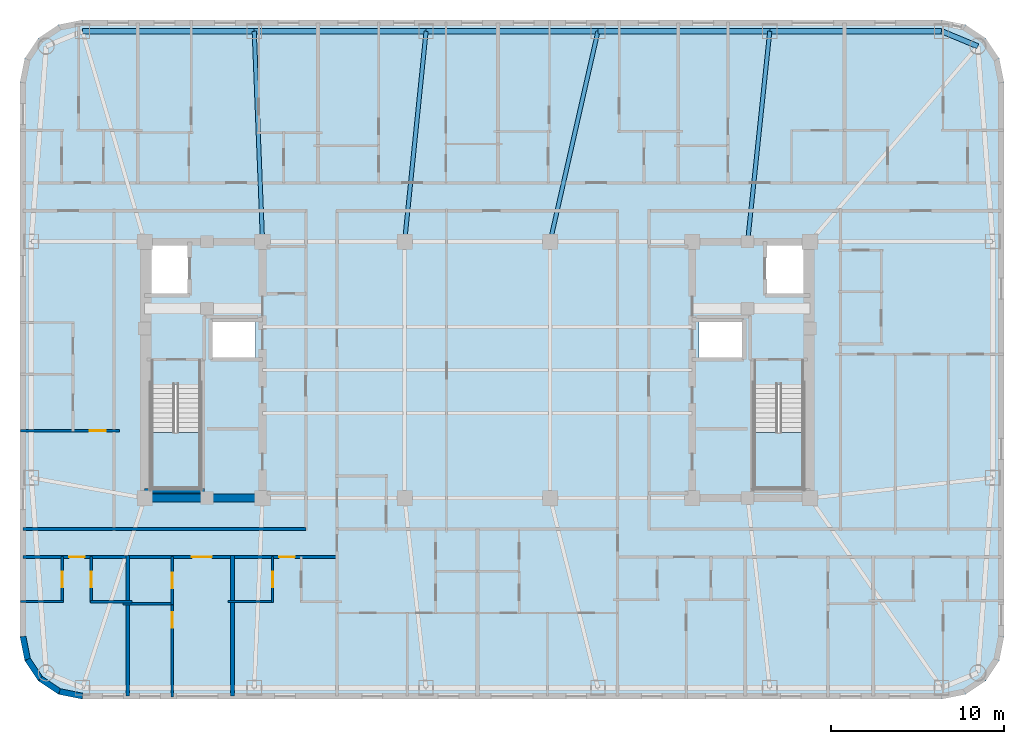
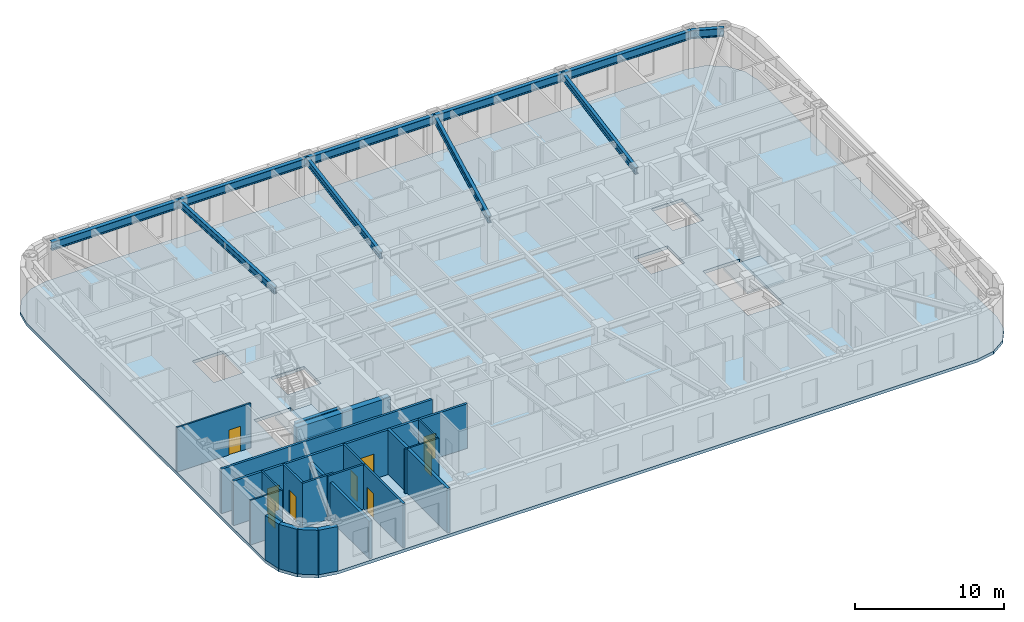
# One storey, part 2 of 11: 20 walls, 10 beams, 9 doors, 3 slabs, 9 openings, 2 elements without a shape of their own.
"""IFC4 building model written with IfcOpenShell, lengths in metres."""

from ifc_helpers import new_model, si_unit, direction, frame, frame_2d, origin, origin_2d, place, context, subcontext, project, spatial, polyline, rectangle, i_section, outline, extrude, material, layer, layer_set, material_profile, profile_set, type_object, element, fill, aggregate, save


model = new_model("IFC4")

# Units and contexts
model_context = context("Model", 3, precision=1e-05, world=origin(), true_north=direction((0.0, 1.0)))
body_context = subcontext(model_context, "Body", "Model", "MODEL_VIEW")
ifc_project = project(units=[si_unit("LENGTHUNIT", "METRE"), si_unit("AREAUNIT", "SQUARE_METRE"), si_unit("VOLUMEUNIT", "CUBIC_METRE"), si_unit("PLANEANGLEUNIT", "RADIAN"), si_unit("MASSUNIT", "GRAM", prefix="KILO")], contexts=[model_context])

# Site, building, storey
site_placement = place(None, origin())
site = spatial("IfcSite", under=ifc_project, at=site_placement, CompositionType="ELEMENT")
building_placement = place(site_placement, origin())
building = spatial("IfcBuilding", under=site, at=building_placement, Name="Voryun Gate Residences", CompositionType="ELEMENT")
storey_placement = place(building_placement, frame((0.0, 0.0, 215.800048828125)))
storey = spatial("IfcBuildingStorey", under=building, at=storey_placement, Name="L53", CompositionType="ELEMENT", Elevation=215.800048828125)

# Beams
ifc_material_1 = material(Name="Steel SM355", Category="steel")
ifc_material_profile_1 = material_profile(ifc_material_1, i_section(OverallWidth=0.300048828125, OverallDepth=0.679931640625, WebThickness=0.013916015625, FlangeThickness=0.02490234375, FilletRadius=0.01806640625, at=origin_2d()), Name="H-680x300x14x25")
ifc_profile_set_1 = profile_set([ifc_material_profile_1], Name="Steel SM355")
beam_type_1 = type_object("IfcBeamType", Name="BM_EXO_SPANDREL_M", PredefinedType="SPANDREL", material=ifc_profile_set_1)
beam_1_placement = place(storey_placement, frame((28.885986328125, 18.68603515625, 3.31005859375), z_axis=(-0.923881087602, 0.382679678022, 0.0), x_axis=(-0.382679678022, -0.923881087602, 0.0)))
element("IfcBeam", 1, at=beam_1_placement, inside=storey, type_object=beam_type_1, Name="BM-L53-SPAND-10", PredefinedType="SPANDREL", context=body_context, shape_type="SweptSolid", body=[
    extrude(i_section(OverallWidth=0.300048828125, OverallDepth=0.679931640625, WebThickness=0.013916015625, FlangeThickness=0.02490234375, FilletRadius=0.01806640625, at=origin_2d()), origin(), (0.0, 0.0, 1.0), 2.2578125),
])
beam_2_placement = place(storey_placement, frame((26.800048828125, 19.550048828125, 3.31005859375), z_axis=(-1.0, 0.0, 0.0), x_axis=(0.0, -1.0, 0.0)))
element("IfcBeam", 2, at=beam_2_placement, inside=storey, type_object=beam_type_1, Name="BM-L53-SPAND-11", PredefinedType="SPANDREL", context=body_context, shape_type="SweptSolid", body=[
    extrude(i_section(OverallWidth=0.300048828125, OverallDepth=0.679931640625, WebThickness=0.013916015625, FlangeThickness=0.02490234375, FilletRadius=0.01806640625, at=origin_2d()), origin(), (0.0, 0.0, 1.0), 9.920166015625),
])
for number, where, z_axis, x_axis, name in (
    (3, (16.8798828125, 19.550048828125, 3.31005859375), (-1.0, 0.0, 0.0), (0.0, -1.0, 0.0), "BM-L53-SPAND-12"),
    (4, (6.9599609375, 19.550048828125, 3.31005859375), (-1.0, 0.0, 0.0), (0.0, -1.0, 0.0), "BM-L53-SPAND-13"),
    (5, (-2.9599609375, 19.550048828125, 3.31005859375), (-1.0, 0.0, 0.0), (0.0, -1.0, 0.0), "BM-L53-SPAND-14"),
):
    element("IfcBeam", number, at=place(storey_placement, frame(where, z_axis=z_axis, x_axis=x_axis)), inside=storey, type_object=beam_type_1, Name=name, PredefinedType="SPANDREL", context=body_context, shape_type="SweptSolid", body=[
        extrude(i_section(OverallWidth=0.300048828125, OverallDepth=0.679931640625, WebThickness=0.013916015625, FlangeThickness=0.02490234375, FilletRadius=0.01806640625, at=origin_2d()), origin(), (0.0, 0.0, 1.0), 9.919921875),
    ])
beam_3_placement = place(storey_placement, frame((-12.8798828125, 19.550048828125, 3.31005859375), z_axis=(-1.0, 0.0, 0.0), x_axis=(0.0, -1.0, 0.0)))
element("IfcBeam", 6, at=beam_3_placement, inside=storey, type_object=beam_type_1, Name="BM-L53-SPAND-15", PredefinedType="SPANDREL", context=body_context, shape_type="SweptSolid", body=[
    extrude(i_section(OverallWidth=0.300048828125, OverallDepth=0.679931640625, WebThickness=0.013916015625, FlangeThickness=0.02490234375, FilletRadius=0.01806640625, at=origin_2d()), origin(), (0.0, 0.0, 1.0), 9.920166015625),
])
ifc_material_2 = material(Name="Steel SM355", Category="steel")
ifc_material_profile_2 = material_profile(ifc_material_2, i_section(OverallWidth=0.239990234375, OverallDepth=0.550048828125, WebThickness=0.011962890625, FlangeThickness=0.02001953125, FilletRadius=0.01806640625, at=origin_2d()), Name="H-550x240x12x20")
ifc_profile_set_2 = profile_set([ifc_material_profile_2], Name="Steel SM355")
beam_type_2 = type_object("IfcBeamType", Name="BM_GIRD_550", PredefinedType="USERDEFINED", material=ifc_profile_set_2)
beam_4_placement = place(storey_placement, frame((15.60009765625, 7.39990234375, 3.375), z_axis=(0.104751358085, 0.994498442925, 0.0), x_axis=(-0.994498442925, 0.104751358085, 0.0)))
element("IfcBeam", 7, at=beam_4_placement, inside=storey, type_object=beam_type_2, Name="BM-L53-RAD-N2", ObjectType="GIRDER", PredefinedType="USERDEFINED", context=body_context, shape_type="SweptSolid", body=[
    extrude(i_section(OverallWidth=0.239990234375, OverallDepth=0.550048828125, WebThickness=0.011962890625, FlangeThickness=0.02001953125, FilletRadius=0.01806640625, at=origin_2d()), origin(), (0.0, 0.0, 1.0), 12.21728515625),
])
beam_5_placement = place(storey_placement, frame((4.199951171875, 7.39990234375, 3.375), z_axis=(0.221515238368, 0.975156910026, 0.0), x_axis=(-0.975156910026, 0.221515238368, 0.0)))
element("IfcBeam", 8, at=beam_5_placement, inside=storey, type_object=beam_type_2, Name="BM-L53-RAD-N3", ObjectType="GIRDER", PredefinedType="USERDEFINED", context=body_context, shape_type="SweptSolid", body=[
    extrude(i_section(OverallWidth=0.239990234375, OverallDepth=0.550048828125, WebThickness=0.011962890625, FlangeThickness=0.02001953125, FilletRadius=0.01806640625, at=origin_2d()), origin(), (0.0, 0.0, 1.0), 12.459716796875),
])
beam_6_placement = place(storey_placement, frame((-4.199951171875, 7.39990234375, 3.375), z_axis=(0.101528223047, 0.994832659257, 0.0), x_axis=(-0.994832659257, 0.101528223047, 0.0)))
element("IfcBeam", 9, at=beam_6_placement, inside=storey, type_object=beam_type_2, Name="BM-L53-RAD-N4", ObjectType="GIRDER", PredefinedType="USERDEFINED", context=body_context, shape_type="SweptSolid", body=[
    extrude(i_section(OverallWidth=0.239990234375, OverallDepth=0.550048828125, WebThickness=0.011962890625, FlangeThickness=0.02001953125, FilletRadius=0.01806640625, at=origin_2d()), origin(), (0.0, 0.0, 1.0), 12.213134765625),
])
beam_7_placement = place(storey_placement, frame((-12.39990234375, 7.39990234375, 3.375), z_axis=(-0.039473300578, 0.999220625558, 0.0), x_axis=(-0.999220625558, -0.039473300578, 0.0)))
element("IfcBeam", 10, at=beam_7_placement, inside=storey, type_object=beam_type_2, Name="BM-L53-RAD-N5", ObjectType="GIRDER", PredefinedType="USERDEFINED", context=body_context, shape_type="SweptSolid", body=[
    extrude(i_section(OverallWidth=0.239990234375, OverallDepth=0.550048828125, WebThickness=0.011962890625, FlangeThickness=0.02001953125, FilletRadius=0.01806640625, at=origin_2d()), origin(), (0.0, 0.0, 1.0), 12.15966796875),
])

# Slab
ifc_material_3 = material(Name="Concrete C40/50", Category="concrete")
ifc_layer_1 = layer(ifc_material_3, 0.25, Name="SLB_RES_250")
ifc_layer_set_1 = layer_set([ifc_layer_1], Name="Concrete C40/50")
slab_type_1 = type_object("IfcSlabType", Name="SLB_RES_250", PredefinedType="FLOOR", material=ifc_layer_set_1)
slab_1_placement = place(storey_placement, frame((0.0, 0.0, -0.25)))
element("IfcSlab", 11, at=slab_1_placement, inside=storey, type_object=slab_type_1, Name="L53 Structural Floor Slab", PredefinedType="FLOOR", context=body_context, shape_type="SweptSolid", body=[
    extrude(outline(polyline([(-22.800048828125, -19.0), (-24.177734375, -18.72607421875), (-25.345458984375, -17.945556640625), (-26.1259765625, -16.777587890625), (-26.39990234375, -15.39990234375), (-26.39990234375, 16.60009765625), (-26.1259765625, 17.9775390625), (-25.345458984375, 19.1455078125), (-24.177734375, 19.926025390625), (-22.800048828125, 20.199951171875), (26.800048828125, 20.199951171875), (28.177734375, 19.926025390625), (29.345458984375, 19.1455078125), (30.1259765625, 17.9775390625), (30.39990234375, 16.60009765625), (30.39990234375, -15.39990234375), (30.1259765625, -16.777587890625), (29.345458984375, -17.945556640625), (28.177734375, -18.72607421875), (26.800048828125, -19.0), (-22.800048828125, -19.0)]), holes=[polyline([(-15.97509765625, -0.840087890625), (-18.824951171875, -0.840087890625), (-18.824951171875, -6.85009765625), (-15.97509765625, -6.85009765625), (-15.97509765625, -0.840087890625)]), polyline([(18.824951171875, -6.85009765625), (18.824951171875, -0.840087890625), (15.97509765625, -0.840087890625), (15.97509765625, -6.85009765625), (18.824951171875, -6.85009765625)]), polyline([(-12.800048828125, 2.89990234375), (-15.39990234375, 2.89990234375), (-15.39990234375, 0.60009765625), (-12.800048828125, 0.60009765625), (-12.800048828125, 2.89990234375)]), polyline([(12.800048828125, 2.89990234375), (12.800048828125, 0.60009765625), (15.39990234375, 0.60009765625), (15.39990234375, 2.89990234375), (12.800048828125, 2.89990234375)]), polyline([(-16.60009765625, 7.199951171875), (-19.0, 7.199951171875), (-19.0, 4.300048828125), (-16.60009765625, 4.300048828125), (-16.60009765625, 7.199951171875)]), polyline([(19.0, 7.199951171875), (16.60009765625, 7.199951171875), (16.60009765625, 4.300048828125), (19.0, 4.300048828125), (19.0, 7.199951171875)])]), origin(), (0.0, 0.0, 1.0), 0.25),
])

# Stair, slab
ifc_material_4 = material(Name="Concrete C40/50", Category="concrete")
stair_type = type_object("IfcStairType", Name="STR_CORE_DOGLEG_1350", PredefinedType="HALF_TURN_STAIR", material=ifc_material_4)
stair_1_placement = place(storey_placement, origin())
stair_1 = element("IfcStair", 12, at=stair_1_placement, inside=storey, type_object=stair_type, Name="L53 Special Escape Stair ST-W1", PredefinedType="HALF_TURN_STAIR")
ifc_material_5 = material(Name="Concrete C40/50", Category="concrete")
ifc_layer_2 = layer(ifc_material_5, 0.199951171875, Name="SLB_STAIR_LANDING_200")
ifc_layer_set_2 = layer_set([ifc_layer_2], Name="Concrete C40/50")
slab_type_2 = type_object("IfcSlabType", Name="SLB_STAIR_LANDING_200", PredefinedType="LANDING", material=ifc_layer_set_2)
slab_2_placement = place(storey_placement, frame((0.0, 0.0, 1.75)))
slab_2 = element("IfcSlab", 13, at=slab_2_placement, type_object=slab_type_2, Name="ST-W1 landing 1", PredefinedType="LANDING", context=body_context, shape_type="SweptSolid", body=[
    extrude(outline(polyline([(-18.824951171875, -3.60009765625), (-18.824951171875, -6.85009765625), (-15.97509765625, -6.85009765625), (-15.97509765625, -3.60009765625), (-18.824951171875, -3.60009765625)])), origin(), (0.0, 0.0, 1.0), 0.199951171875),
])
aggregate(stair_1, [slab_2])

stair_2_placement = place(storey_placement, origin())
stair_2 = element("IfcStair", 14, at=stair_2_placement, inside=storey, type_object=stair_type, Name="L53 Special Escape Stair ST-E1", PredefinedType="HALF_TURN_STAIR")
slab_3_placement = place(storey_placement, frame((0.0, 0.0, 1.75)))
slab_3 = element("IfcSlab", 15, at=slab_3_placement, type_object=slab_type_2, Name="ST-E1 landing 1", PredefinedType="LANDING", context=body_context, shape_type="SweptSolid", body=[
    extrude(outline(polyline([(15.97509765625, -3.60009765625), (15.97509765625, -6.85009765625), (18.824951171875, -6.85009765625), (18.824951171875, -3.60009765625), (15.97509765625, -3.60009765625)])), origin(), (0.0, 0.0, 1.0), 0.199951171875),
])
aggregate(stair_2, [slab_3])

# Walls
ifc_material_6 = material(Name="Concrete C50/60", Category="concrete")
ifc_layer_3 = layer(ifc_material_6, 0.449951171875, Name="CW_CORE_450")
ifc_layer_set_3 = layer_set([ifc_layer_3], Name="Concrete C50/60")
wall_type_1 = type_object("IfcWallType", Name="CW_CORE_450", PredefinedType="SHEAR", material=ifc_layer_set_3)
wall_1_placement = place(storey_placement, frame((-19.425048828125, -7.39990234375, 0.0), z_axis=(0.0, 0.0, 1.0), x_axis=(1.0, 0.0, 0.0)))
element("IfcWall", 16, at=wall_1_placement, inside=storey, type_object=wall_type_1, Name="L53 Core shear wall CW-L53-WS", PredefinedType="SHEAR", context=body_context, shape_type="SweptSolid", body=[
    extrude(rectangle(XDim=7.25, YDim=0.449951171875, at=frame_2d((3.625, 0.0))), origin(), (0.0, 0.0, 1.0), 3.64990234375),
])
ifc_material_7 = material(Name="Gypsum acoustic fireboard")
ifc_layer_4 = layer(ifc_material_7, 0.179931640625, Name="W_CORR_RATED_180")
ifc_layer_set_4 = layer_set([ifc_layer_4], Name="Gypsum acoustic fireboard")
wall_type_2 = type_object("IfcWallType", Name="W_CORR_RATED_180", PredefinedType="PARTITIONING", material=ifc_layer_set_4)
wall_2_placement = place(storey_placement, frame((-26.22998046875, -9.18994140625, 0.0), z_axis=(0.0, 0.0, 1.0), x_axis=(1.0, 0.0, 0.0)))
element("IfcWall", 17, at=wall_2_placement, inside=storey, type_object=wall_type_2, Name="Partition wall WP-L53-CWING-WS", PredefinedType="PARTITIONING", context=body_context, shape_type="SweptSolid", body=[
    extrude(rectangle(XDim=16.35009765625, YDim=0.179931640625, at=frame_2d((8.175048828125, 0.0))), origin(), (0.0, 0.0, 1.0), 3.64990234375),
])

# Wall, openings, doors
wall_3_placement = place(storey_placement, frame((-26.22998046875, -10.800048828125, 0.0), z_axis=(0.0, 0.0, 1.0), x_axis=(1.0, 0.0, 0.0)))
wall_3 = element("IfcWall", 18, at=wall_3_placement, inside=storey, type_object=wall_type_2, Name="Partition wall WP-L53-SCORR-W", PredefinedType="PARTITIONING", context=body_context, shape_type="SweptSolid", body=[
    extrude(rectangle(XDim=18.14990234375, YDim=0.179931640625, at=frame_2d((9.074951171875, 0.0))), origin(), (0.0, 0.0, 1.0), 3.64990234375),
])
opening_1_placement = place(wall_3_placement, frame((2.6591796875, 0.0, 0.0)))
opening_1 = element("IfcOpeningElement", 19, at=opening_1_placement, cuts=wall_3, Name="Opening D-INT-2", PredefinedType="OPENING", context=body_context, shape_type="SweptSolid", body=[
    extrude(rectangle(XDim=0.89990234375, YDim=2.050048828125, at=frame_2d((0.449951171875, 1.02490234375))), frame((0.0, 0.099853515625, 0.0), z_axis=(0.0, -1.0, 0.0), x_axis=(1.0, 0.0, 0.0)), (0.0, 0.0, 1.0), 0.199951171875),
])
opening_2_placement = place(wall_3_placement, frame((9.754150390625, 0.0, 0.0)))
opening_2 = element("IfcOpeningElement", 20, at=opening_2_placement, cuts=wall_3, Name="Opening D-UNIT-1", PredefinedType="OPENING", context=body_context, shape_type="SweptSolid", body=[
    extrude(rectangle(XDim=1.14990234375, YDim=2.050048828125, at=frame_2d((0.574951171875, 1.02490234375))), frame((0.0, 0.099853515625, 0.0), z_axis=(0.0, -1.0, 0.0), x_axis=(1.0, 0.0, 0.0)), (0.0, 0.0, 1.0), 0.199951171875),
])
opening_3_placement = place(wall_3_placement, frame((14.79248046875, 0.0, 0.0)))
opening_3 = element("IfcOpeningElement", 21, at=opening_3_placement, cuts=wall_3, Name="Opening D-INT-2", PredefinedType="OPENING", context=body_context, shape_type="SweptSolid", body=[
    extrude(rectangle(XDim=0.89990234375, YDim=2.050048828125, at=frame_2d((0.449951171875, 1.02490234375))), frame((0.0, 0.099853515625, 0.0), z_axis=(0.0, -1.0, 0.0), x_axis=(1.0, 0.0, 0.0)), (0.0, 0.0, 1.0), 0.199951171875),
])
ifc_material_8 = material(Name="Architectural oak veneer")
door_type_1 = type_object("IfcDoorType", Name="DR_INT_BATH_900", OperationType="NOTDEFINED", PredefinedType="DOOR", material=ifc_material_8)
door_1_placement = place(opening_1_placement, origin())
door_1 = element("IfcDoor", 22, at=door_1_placement, inside=storey, type_object=door_type_1, Name="Door DR-L53-SENT-1", OperationType="SINGLE_SWING_RIGHT", OverallHeight=2.050048828125, OverallWidth=0.89990234375, PredefinedType="DOOR", context=body_context, shape_type="SweptSolid", body=[
    extrude(rectangle(XDim=0.89990234375, YDim=2.050048828125, at=frame_2d((0.449951171875, 1.02490234375))), frame((0.0, 0.02490234375, 0.0), z_axis=(0.0, -1.0, 0.0), x_axis=(1.0, 0.0, 0.0)), (0.0, 0.0, 1.0), 0.050048828125),
])
fill(opening_1, door_1)
door_2_placement = place(opening_3_placement, origin())
door_2 = element("IfcDoor", 23, at=door_2_placement, inside=storey, type_object=door_type_1, Name="Door DR-L53-SENT-3", OperationType="SINGLE_SWING_RIGHT", OverallHeight=2.050048828125, OverallWidth=0.89990234375, PredefinedType="DOOR", context=body_context, shape_type="SweptSolid", body=[
    extrude(rectangle(XDim=0.89990234375, YDim=2.050048828125, at=frame_2d((0.449951171875, 1.02490234375))), frame((0.0, 0.02490234375, 0.0), z_axis=(0.0, -1.0, 0.0), x_axis=(1.0, 0.0, 0.0)), (0.0, 0.0, 1.0), 0.050048828125),
])
fill(opening_3, door_2)
ifc_material_9 = material(Name="Armoured timber-clad fire door", Category="wood")
door_type_2 = type_object("IfcDoorType", Name="DR_UNIT_ENTRY_1150", OperationType="NOTDEFINED", PredefinedType="DOOR", material=ifc_material_9)
door_3_placement = place(opening_2_placement, origin())
door_3 = element("IfcDoor", 24, at=door_3_placement, inside=storey, type_object=door_type_2, Name="Door DR-L53-SENT-2", OperationType="SINGLE_SWING_LEFT", OverallHeight=2.050048828125, OverallWidth=1.14990234375, PredefinedType="DOOR", context=body_context, shape_type="SweptSolid", body=[
    extrude(rectangle(XDim=1.14990234375, YDim=2.050048828125, at=frame_2d((0.574951171875, 1.02490234375))), frame((0.0, 0.02490234375, 0.0), z_axis=(0.0, -1.0, 0.0), x_axis=(1.0, 0.0, 0.0)), (0.0, 0.0, 1.0), 0.050048828125),
])
fill(opening_2, door_3)

# Walls
ifc_material_10 = material(Name="Charcoal terracotta masonry", Category="masonry")
ifc_layer_5 = layer(ifc_material_10, 0.340087890625, Name="W_EXT_TERRACOTTA_340")
ifc_layer_set_5 = layer_set([ifc_layer_5], Name="Charcoal terracotta masonry")
wall_type_3 = type_object("IfcWallType", Name="W_EXT_TERRACOTTA_340", PredefinedType="ELEMENTEDWALL", material=ifc_layer_set_5)
wall_4_placement = place(storey_placement, frame((-22.783203125, -18.830078125, 0.0), z_axis=(0.0, 0.0, 1.0), x_axis=(-0.980788153188, 0.195075878998, 0.0)))
element("IfcWall", 25, at=wall_4_placement, inside=storey, type_object=wall_type_3, Name="Exterior wall WEXT-L53-02", PredefinedType="ELEMENTEDWALL", context=body_context, shape_type="SweptSolid", body=[
    extrude(rectangle(XDim=1.354248046875, YDim=0.340087890625, at=frame_2d((0.67724609375, 0.0))), origin(), (0.0, 0.0, 1.0), 3.64990234375),
])
wall_5_placement = place(storey_placement, frame((-24.111328125, -18.56591796875, 0.0), z_axis=(0.0, 0.0, 1.0), x_axis=(-0.831403586725, 0.555669034571, 0.0)))
element("IfcWall", 26, at=wall_5_placement, inside=storey, type_object=wall_type_3, Name="Exterior wall WEXT-L53-03", PredefinedType="ELEMENTEDWALL", context=body_context, shape_type="SweptSolid", body=[
    extrude(rectangle(XDim=1.3369140625, YDim=0.340087890625, at=frame_2d((0.66845703125, 0.0))), origin(), (0.0, 0.0, 1.0), 3.64990234375),
])
wall_6_placement = place(storey_placement, frame((-25.222900390625, -17.822998046875, 0.0), z_axis=(0.0, 0.0, 1.0), x_axis=(-0.555584683399, 0.831459956686, 0.0)))
element("IfcWall", 27, at=wall_6_placement, inside=storey, type_object=wall_type_3, Name="Exterior wall WEXT-L53-04", PredefinedType="ELEMENTEDWALL", context=body_context, shape_type="SweptSolid", body=[
    extrude(rectangle(XDim=1.337158203125, YDim=0.340087890625, at=frame_2d((0.66845703125, 0.0))), origin(), (0.0, 0.0, 1.0), 3.64990234375),
])
wall_7_placement = place(storey_placement, frame((-25.9658203125, -16.711181640625, 0.0), z_axis=(0.0, 0.0, 1.0), x_axis=(-0.195110379894, 0.98078129043, 0.0)))
element("IfcWall", 28, at=wall_7_placement, inside=storey, type_object=wall_type_3, Name="Exterior wall WEXT-L53-05", PredefinedType="ELEMENTEDWALL", context=body_context, shape_type="SweptSolid", body=[
    extrude(rectangle(XDim=1.35400390625, YDim=0.340087890625, at=frame_2d((0.677001953125, 0.0))), origin(), (0.0, 0.0, 1.0), 3.64990234375),
])
ifc_material_11 = material(Name="Concrete C40/50", Category="concrete")
ifc_layer_6 = layer(ifc_material_11, 0.219970703125, Name="W_PARTY_ACOUSTIC_220")
ifc_layer_set_6 = layer_set([ifc_layer_6], Name="Concrete C40/50")
wall_type_4 = type_object("IfcWallType", Name="W_PARTY_ACOUSTIC_220", PredefinedType="PARTITIONING", material=ifc_layer_set_6)
wall_8_placement = place(storey_placement, frame((-20.18505859375, -18.830078125, 0.0), z_axis=(0.0, 0.0, 1.0), x_axis=(0.0, 1.0, 0.0)))
element("IfcWall", 29, at=wall_8_placement, inside=storey, type_object=wall_type_4, Name="Partition wall WP-L53-SPTY-1", PredefinedType="PARTITIONING", context=body_context, shape_type="SweptSolid", body=[
    extrude(rectangle(XDim=8.110107421875, YDim=0.219970703125, at=frame_2d((4.05517578125, 0.0))), origin(), (0.0, 0.0, 1.0), 3.08984375),
])
wall_9_placement = place(storey_placement, frame((-14.132080078125, -18.830078125, 0.0), z_axis=(0.0, 0.0, 1.0), x_axis=(0.0, 1.0, 0.0)))
element("IfcWall", 30, at=wall_9_placement, inside=storey, type_object=wall_type_4, Name="Partition wall WP-L53-SPTY-2", PredefinedType="PARTITIONING", context=body_context, shape_type="SweptSolid", body=[
    extrude(rectangle(XDim=8.110107421875, YDim=0.219970703125, at=frame_2d((4.05517578125, 0.0))), origin(), (0.0, 0.0, 1.0), 3.64990234375),
])
ifc_material_12 = material(Name="Concrete C50/60", Category="concrete")
ifc_layer_7 = layer(ifc_material_12, 0.25, Name="W_SHAFT_RC250")
ifc_layer_set_7 = layer_set([ifc_layer_7], Name="Concrete C50/60")
wall_type_5 = type_object("IfcWallType", Name="W_SHAFT_RC250", PredefinedType="SOLIDWALL", material=ifc_layer_set_7)
wall_10_placement = place(storey_placement, frame((-19.199951171875, -6.965087890625, 0.0), z_axis=(0.0, 0.0, 1.0), x_axis=(1.0, 0.0, 0.0)))
element("IfcWall", 31, at=wall_10_placement, inside=storey, type_object=wall_type_5, Name="L53 Stair shaft structural wall W-STS", PredefinedType="SOLIDWALL", context=body_context, shape_type="SweptSolid", body=[
    extrude(rectangle(XDim=3.4599609375, YDim=0.25, at=frame_2d((1.72998046875, 0.0))), origin(), (0.0, 0.0, 1.0), 3.64990234375),
])

# Wall, opening, door
ifc_material_13 = material(Name="Gypsum acoustic partition")
ifc_layer_8 = layer(ifc_material_13, 0.125, Name="W_UNIT_PART_125")
ifc_layer_set_8 = layer_set([ifc_layer_8], Name="Gypsum acoustic partition")
wall_type_6 = type_object("IfcWallType", Name="W_UNIT_PART_125", PredefinedType="PARTITIONING", material=ifc_layer_set_8)
wall_11_placement = place(storey_placement, frame((-23.9599609375, -13.429931640625, 0.0), z_axis=(0.0, 0.0, 1.0), x_axis=(0.0, 1.0, 0.0)))
wall_11 = element("IfcWall", 32, at=wall_11_placement, inside=storey, type_object=wall_type_6, Name="Partition wall WP-L53-S1-CVK", PredefinedType="PARTITIONING", context=body_context, shape_type="SweptSolid", body=[
    extrude(rectangle(XDim=2.64990234375, YDim=0.125, at=frame_2d((1.324951171875, 0.0))), origin(), (0.0, 0.0, 1.0), 3.64990234375),
])
opening_4_placement = place(wall_11_placement, frame((0.875, 0.0, 0.0)))
opening_4 = element("IfcOpeningElement", 33, at=opening_4_placement, cuts=wall_11, Name="Opening D-INT-2", PredefinedType="OPENING", context=body_context, shape_type="SweptSolid", body=[
    extrude(rectangle(XDim=0.89990234375, YDim=2.050048828125, at=frame_2d((0.449951171875, 1.02490234375))), frame((0.0, 0.072509765625, 0.0), z_axis=(0.0, -1.0, 0.0), x_axis=(1.0, 0.0, 0.0)), (0.0, 0.0, 1.0), 0.14501953125),
])
door_4_placement = place(opening_4_placement, origin())
door_4 = element("IfcDoor", 34, at=door_4_placement, inside=storey, type_object=door_type_1, Name="Door DR-L53-S1-DK", OperationType="SINGLE_SWING_LEFT", OverallHeight=2.050048828125, OverallWidth=0.89990234375, PredefinedType="DOOR", context=body_context, shape_type="SweptSolid", body=[
    extrude(rectangle(XDim=0.89990234375, YDim=2.050048828125, at=frame_2d((0.449951171875, 1.02490234375))), frame((0.0, 0.02490234375, 0.0), z_axis=(0.0, -1.0, 0.0), x_axis=(1.0, 0.0, 0.0)), (0.0, 0.0, 1.0), 0.050048828125),
])
fill(opening_4, door_4)

# Wall
wall_12_placement = place(storey_placement, frame((-26.3798828125, -13.3701171875, 0.0), z_axis=(0.0, 0.0, 1.0), x_axis=(1.0, 0.0, 0.0)))
element("IfcWall", 35, at=wall_12_placement, inside=storey, type_object=wall_type_6, Name="Partition wall WP-L53-S1-CHK", PredefinedType="PARTITIONING", context=body_context, shape_type="SweptSolid", body=[
    extrude(rectangle(XDim=2.47998046875, YDim=0.125, at=frame_2d((1.239990234375, 0.0))), origin(), (0.0, 0.0, 1.0), 3.64990234375),
])

# Wall, opening, door
wall_13_placement = place(storey_placement, frame((-11.818115234375, -13.429931640625, 0.0), z_axis=(0.0, 0.0, 1.0), x_axis=(0.0, 1.0, 0.0)))
wall_13 = element("IfcWall", 36, at=wall_13_placement, inside=storey, type_object=wall_type_6, Name="Partition wall WP-L53-S3-CVK", PredefinedType="PARTITIONING", context=body_context, shape_type="SweptSolid", body=[
    extrude(rectangle(XDim=2.64990234375, YDim=0.125, at=frame_2d((1.324951171875, 0.0))), origin(), (0.0, 0.0, 1.0), 3.64990234375),
])
opening_5_placement = place(wall_13_placement, frame((0.875, 0.0, 0.0)))
opening_5 = element("IfcOpeningElement", 37, at=opening_5_placement, cuts=wall_13, Name="Opening D-INT-2", PredefinedType="OPENING", context=body_context, shape_type="SweptSolid", body=[
    extrude(rectangle(XDim=0.89990234375, YDim=2.050048828125, at=frame_2d((0.449951171875, 1.02490234375))), frame((0.0, 0.072509765625, 0.0), z_axis=(0.0, -1.0, 0.0), x_axis=(1.0, 0.0, 0.0)), (0.0, 0.0, 1.0), 0.14501953125),
])
door_5_placement = place(opening_5_placement, origin())
door_5 = element("IfcDoor", 38, at=door_5_placement, inside=storey, type_object=door_type_1, Name="Door DR-L53-S3-DK", OperationType="SINGLE_SWING_LEFT", OverallHeight=2.050048828125, OverallWidth=0.89990234375, PredefinedType="DOOR", context=body_context, shape_type="SweptSolid", body=[
    extrude(rectangle(XDim=0.89990234375, YDim=2.050048828125, at=frame_2d((0.449951171875, 1.02490234375))), frame((0.0, 0.02490234375, 0.0), z_axis=(0.0, -1.0, 0.0), x_axis=(1.0, 0.0, 0.0)), (0.0, 0.0, 1.0), 0.050048828125),
])
fill(opening_5, door_5)

# Wall
wall_14_placement = place(storey_placement, frame((-14.39208984375, -13.3701171875, 0.0), z_axis=(0.0, 0.0, 1.0), x_axis=(1.0, 0.0, 0.0)))
element("IfcWall", 39, at=wall_14_placement, inside=storey, type_object=wall_type_6, Name="Partition wall WP-L53-S3-CHK", PredefinedType="PARTITIONING", context=body_context, shape_type="SweptSolid", body=[
    extrude(rectangle(XDim=2.634033203125, YDim=0.125, at=frame_2d((1.31689453125, 0.0))), origin(), (0.0, 0.0, 1.0), 3.64990234375),
])

# Wall, opening, door
wall_15_placement = place(storey_placement, frame((-26.3798828125, -3.510009765625, 0.0), z_axis=(0.0, 0.0, 1.0), x_axis=(1.0, 0.0, 0.0)))
wall_15 = element("IfcWall", 40, at=wall_15_placement, inside=storey, type_object=wall_type_6, Name="Partition wall WP-L53-W1-HZ3", PredefinedType="PARTITIONING", context=body_context, shape_type="SweptSolid", body=[
    extrude(rectangle(XDim=5.72998046875, YDim=0.125, at=frame_2d((2.864990234375, 0.0))), origin(), (0.0, 0.0, 1.0), 3.64990234375),
])
opening_6_placement = place(wall_15_placement, frame((4.019287109375, 0.0, 0.0)))
opening_6 = element("IfcOpeningElement", 41, at=opening_6_placement, cuts=wall_15, Name="Opening D-INT-2", PredefinedType="OPENING", context=body_context, shape_type="SweptSolid", body=[
    extrude(rectangle(XDim=0.89990234375, YDim=2.050048828125, at=frame_2d((0.449951171875, 1.02490234375))), frame((0.0, 0.072509765625, 0.0), z_axis=(0.0, -1.0, 0.0), x_axis=(1.0, 0.0, 0.0)), (0.0, 0.0, 1.0), 0.14501953125),
])
door_6_placement = place(opening_6_placement, origin())
door_6 = element("IfcDoor", 42, at=door_6_placement, inside=storey, type_object=door_type_1, Name="Door DR-L53-W1-DMB", OperationType="SINGLE_SWING_LEFT", OverallHeight=2.050048828125, OverallWidth=0.89990234375, PredefinedType="DOOR", context=body_context, shape_type="SweptSolid", body=[
    extrude(rectangle(XDim=0.89990234375, YDim=2.050048828125, at=frame_2d((0.449951171875, 1.02490234375))), frame((0.0, 0.02490234375, 0.0), z_axis=(0.0, -1.0, 0.0), x_axis=(1.0, 0.0, 0.0)), (0.0, 0.0, 1.0), 0.050048828125),
])
fill(opening_6, door_6)

ifc_material_14 = material(Name="Gypsum moisture-resistant partition")
ifc_layer_9 = layer(ifc_material_14, 0.14990234375, Name="W_WET_PLUMB_150")
ifc_layer_set_9 = layer_set([ifc_layer_9], Name="Gypsum moisture-resistant partition")
wall_type_7 = type_object("IfcWallType", Name="W_WET_PLUMB_150", PredefinedType="PLUMBINGWALL", material=ifc_layer_set_9)
wall_16_placement = place(storey_placement, frame((-22.281982421875, -13.429931640625, 0.0), z_axis=(0.0, 0.0, 1.0), x_axis=(0.0, 1.0, 0.0)))
wall_16 = element("IfcWall", 43, at=wall_16_placement, inside=storey, type_object=wall_type_7, Name="Partition wall WP-L53-S1-CVB", PredefinedType="PLUMBINGWALL", context=body_context, shape_type="SweptSolid", body=[
    extrude(rectangle(XDim=2.64990234375, YDim=0.14990234375, at=frame_2d((1.324951171875, 0.0))), origin(), (0.0, 0.0, 1.0), 3.64990234375),
])
opening_7_placement = place(wall_16_placement, frame((0.875, 0.0, 0.0)))
opening_7 = element("IfcOpeningElement", 44, at=opening_7_placement, cuts=wall_16, Name="Opening D-INT-2", PredefinedType="OPENING", context=body_context, shape_type="SweptSolid", body=[
    extrude(rectangle(XDim=0.89990234375, YDim=2.050048828125, at=frame_2d((0.449951171875, 1.02490234375))), frame((0.0, 0.0849609375, 0.0), z_axis=(0.0, -1.0, 0.0), x_axis=(1.0, 0.0, 0.0)), (0.0, 0.0, 1.0), 0.169921875),
])
door_7_placement = place(opening_7_placement, origin())
door_7 = element("IfcDoor", 45, at=door_7_placement, inside=storey, type_object=door_type_1, Name="Door DR-L53-S1-DB", OperationType="SINGLE_SWING_RIGHT", OverallHeight=2.050048828125, OverallWidth=0.89990234375, PredefinedType="DOOR", context=body_context, shape_type="SweptSolid", body=[
    extrude(rectangle(XDim=0.89990234375, YDim=2.050048828125, at=frame_2d((0.449951171875, 1.02490234375))), frame((0.0, 0.02490234375, 0.0), z_axis=(0.0, -1.0, 0.0), x_axis=(1.0, 0.0, 0.0)), (0.0, 0.0, 1.0), 0.050048828125),
])
fill(opening_7, door_7)

# Walls
wall_17_placement = place(storey_placement, frame((-22.342041015625, -13.3701171875, 0.0), z_axis=(0.0, 0.0, 1.0), x_axis=(1.0, 0.0, 0.0)))
element("IfcWall", 46, at=wall_17_placement, inside=storey, type_object=wall_type_7, Name="Partition wall WP-L53-S1-CHB", PredefinedType="PLUMBINGWALL", context=body_context, shape_type="SweptSolid", body=[
    extrude(rectangle(XDim=2.4169921875, YDim=0.14990234375, at=frame_2d((1.20849609375, 0.0))), origin(), (0.0, 0.0, 1.0), 3.64990234375),
])
wall_18_placement = place(storey_placement, frame((-20.445068359375, -13.5, 0.0), z_axis=(0.0, 0.0, 1.0), x_axis=(1.0, 0.0, 0.0)))
element("IfcWall", 47, at=wall_18_placement, inside=storey, type_object=wall_type_7, Name="Partition wall WP-L53-S2-SKB", PredefinedType="PLUMBINGWALL", context=body_context, shape_type="SweptSolid", body=[
    extrude(rectangle(XDim=2.916015625, YDim=0.14990234375, at=frame_2d((1.4580078125, 0.0))), origin(), (0.0, 0.0, 1.0), 3.64990234375),
])

# Wall, opening, door
wall_19_placement = place(storey_placement, frame((-17.60888671875, -18.876708984375, 0.0), z_axis=(0.0, 0.0, 1.0), x_axis=(0.0, 1.0, 0.0)))
wall_19 = element("IfcWall", 48, at=wall_19_placement, inside=storey, type_object=wall_type_7, Name="Partition wall WP-L53-S2-SVT1", PredefinedType="PLUMBINGWALL", context=body_context, shape_type="SweptSolid", body=[
    extrude(rectangle(XDim=5.416748046875, YDim=0.14990234375, at=frame_2d((2.70849609375, 0.0))), origin(), (0.0, 0.0, 1.0), 3.64990234375),
])
opening_8_placement = place(wall_19_placement, frame((3.99169921875, 0.0, 0.0)))
opening_8 = element("IfcOpeningElement", 49, at=opening_8_placement, cuts=wall_19, Name="Opening D-INT-2", PredefinedType="OPENING", context=body_context, shape_type="SweptSolid", body=[
    extrude(rectangle(XDim=0.89990234375, YDim=2.050048828125, at=frame_2d((0.449951171875, 1.02490234375))), frame((0.0, 0.0849609375, 0.0), z_axis=(0.0, -1.0, 0.0), x_axis=(1.0, 0.0, 0.0)), (0.0, 0.0, 1.0), 0.169921875),
])
door_8_placement = place(opening_8_placement, origin())
door_8 = element("IfcDoor", 50, at=door_8_placement, inside=storey, type_object=door_type_1, Name="Door DR-L53-S2-DK", OperationType="SINGLE_SWING_LEFT", OverallHeight=2.050048828125, OverallWidth=0.89990234375, PredefinedType="DOOR", context=body_context, shape_type="SweptSolid", body=[
    extrude(rectangle(XDim=0.89990234375, YDim=2.050048828125, at=frame_2d((0.449951171875, 1.02490234375))), frame((0.0, 0.02490234375, 0.0), z_axis=(0.0, -1.0, 0.0), x_axis=(1.0, 0.0, 0.0)), (0.0, 0.0, 1.0), 0.050048828125),
])
fill(opening_8, door_8)

wall_20_placement = place(storey_placement, frame((-17.60888671875, -13.5400390625, 0.0), z_axis=(0.0, 0.0, 1.0), x_axis=(0.0, 1.0, 0.0)))
wall_20 = element("IfcWall", 51, at=wall_20_placement, inside=storey, type_object=wall_type_7, Name="Partition wall WP-L53-S2-SVT2", PredefinedType="PLUMBINGWALL", context=body_context, shape_type="SweptSolid", body=[
    extrude(rectangle(XDim=2.760009765625, YDim=0.14990234375, at=frame_2d((1.3798828125, 0.0))), origin(), (0.0, 0.0, 1.0), 3.64990234375),
])
opening_9_placement = place(wall_20_placement, frame((0.929931640625, 0.0, 0.0)))
opening_9 = element("IfcOpeningElement", 52, at=opening_9_placement, cuts=wall_20, Name="Opening D-INT-2", PredefinedType="OPENING", context=body_context, shape_type="SweptSolid", body=[
    extrude(rectangle(XDim=0.89990234375, YDim=2.050048828125, at=frame_2d((0.449951171875, 1.02490234375))), frame((0.0, 0.0849609375, 0.0), z_axis=(0.0, -1.0, 0.0), x_axis=(1.0, 0.0, 0.0)), (0.0, 0.0, 1.0), 0.169921875),
])
door_9_placement = place(opening_9_placement, origin())
door_9 = element("IfcDoor", 53, at=door_9_placement, inside=storey, type_object=door_type_1, Name="Door DR-L53-S2-DB", OperationType="SINGLE_SWING_RIGHT", OverallHeight=2.050048828125, OverallWidth=0.89990234375, PredefinedType="DOOR", context=body_context, shape_type="SweptSolid", body=[
    extrude(rectangle(XDim=0.89990234375, YDim=2.050048828125, at=frame_2d((0.449951171875, 1.02490234375))), frame((0.0, 0.02490234375, 0.0), z_axis=(0.0, -1.0, 0.0), x_axis=(1.0, 0.0, 0.0)), (0.0, 0.0, 1.0), 0.050048828125),
])
fill(opening_9, door_9)

save(model, "model.ifc")
